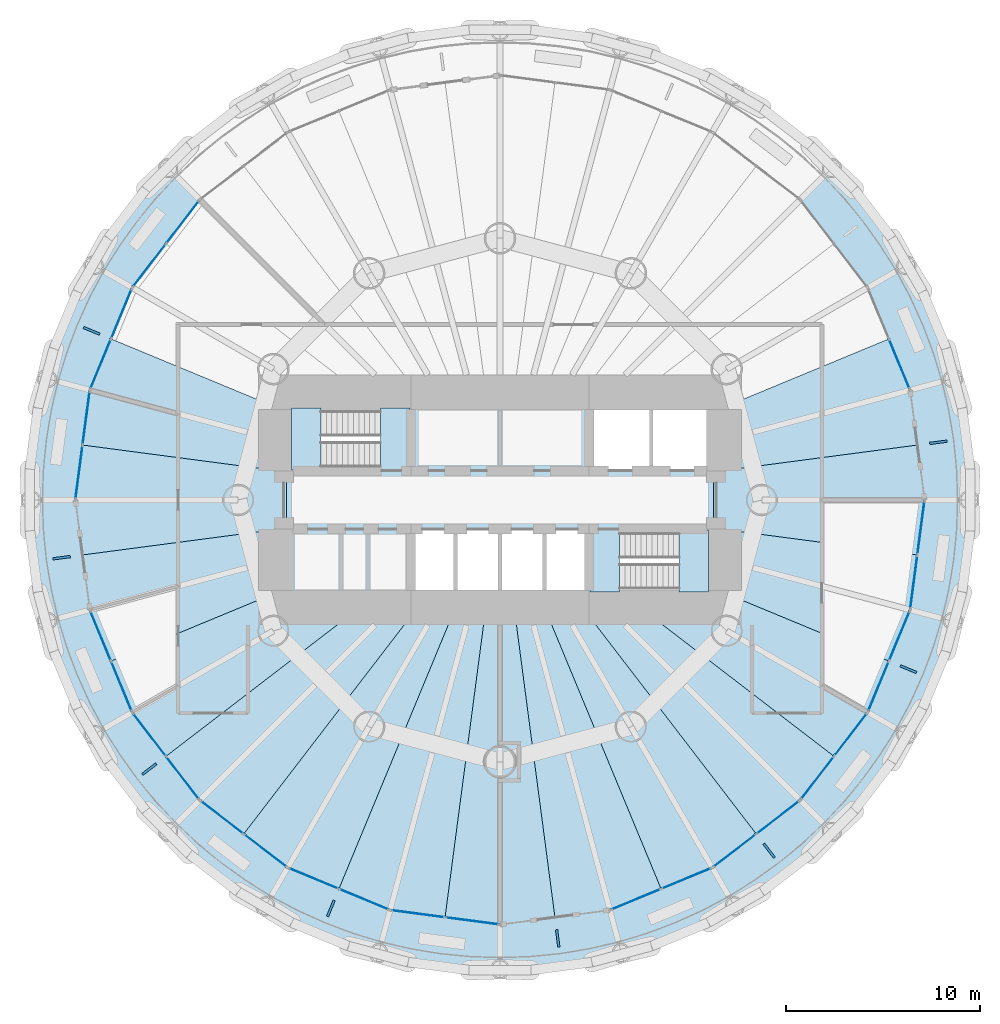
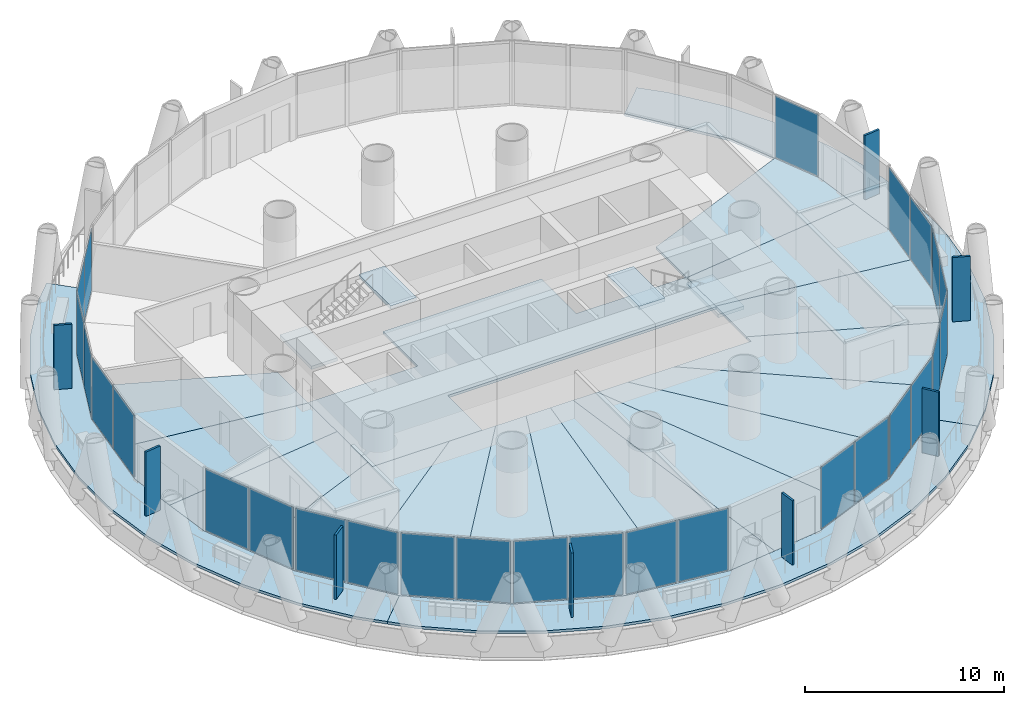
# One storey, part 8 of 15: 35 plates, 23 slabs, 16 elements without a shape of their own.
"""IFC4 building model written with IfcOpenShell, lengths in metres."""

from ifc_helpers import new_model, si_unit, direction, frame, origin, origin_2d, place, context, subcontext, project, spatial, polyline, rectangle, outline, extrude, material, layer, layer_set, type_object, element, aggregate, save


model = new_model("IFC4")

# Units and contexts
model_context = context("Model", 3, precision=1e-05, world=origin(), true_north=direction((0.0, 1.0)))
body_context = subcontext(model_context, "Body", "Model", "MODEL_VIEW")
ifc_project = project(units=[si_unit("LENGTHUNIT", "METRE"), si_unit("AREAUNIT", "SQUARE_METRE"), si_unit("VOLUMEUNIT", "CUBIC_METRE"), si_unit("PLANEANGLEUNIT", "RADIAN"), si_unit("MASSUNIT", "GRAM", prefix="KILO")], contexts=[model_context])

# Site, building, storey
site_placement = place(None, origin())
site = spatial("IfcSite", under=ifc_project, at=site_placement, CompositionType="ELEMENT")
building_placement = place(site_placement, origin())
building = spatial("IfcBuilding", under=site, at=building_placement, Name="Qaws Media Tower", CompositionType="ELEMENT")
storey_placement = place(building_placement, frame((0.0, 0.0, 189.800048828125)))
storey = spatial("IfcBuildingStorey", under=building, at=storey_placement, Name="L43", CompositionType="ELEMENT", Elevation=189.800048828125)

# Slabs
ifc_material_1 = material(Name="Concrete C35/45", Category="concrete")
ifc_layer_1 = layer(ifc_material_1, 0.159912109375)
ifc_layer_set_1 = layer_set([ifc_layer_1], Name="Composite balcony slab 160")
slab_type_1 = type_object("IfcSlabType", Name="Composite balcony slab 160", PredefinedType="FLOOR", material=ifc_layer_set_1)
slab_1_placement = place(storey_placement, frame((0.0, 0.0, -0.16015625)))
element("IfcSlab", 1, at=slab_1_placement, inside=storey, type_object=slab_type_1, Name="S2 balcony slab L43 R10 to R16, movement joints on R10 and R16", PredefinedType="FLOOR", context=body_context, shape_type="SweptSolid", body=[
    extrude(outline(polyline([(41.730224609375, 33.977783203125), (39.79541015625, 36.49951171875), (38.2060546875, 39.25244140625), (36.989501953125, 42.18896484375), (36.1669921875, 45.25927734375), (35.751953125, 48.41064453125), (35.751953125, 51.58935546875), (36.1669921875, 54.74072265625), (36.989501953125, 57.81103515625), (38.2060546875, 60.74755859375), (39.79541015625, 63.50048828125), (41.730224609375, 66.022216796875), (42.85400390625, 67.14599609375), (44.514404296875, 65.485595703125), (41.033935546875, 60.949951171875), (38.84619140625, 55.668212890625), (38.10009765625, 50.0), (38.84619140625, 44.331787109375), (41.033935546875, 39.050048828125), (44.514404296875, 34.514404296875), (42.85400390625, 32.85400390625), (41.730224609375, 33.977783203125)])), origin(), (0.0, 0.0, 1.0), 0.16015625),
])
slab_2_placement = place(storey_placement, frame((0.0, 0.0, -0.16015625)))
element("IfcSlab", 2, at=slab_2_placement, inside=storey, type_object=slab_type_1, Name="S2 balcony slab L43 R16 to R22, movement joints on R16 and R22", PredefinedType="FLOOR", context=body_context, shape_type="SweptSolid", body=[
    extrude(outline(polyline([(76.022216796875, 31.730224609375), (73.50048828125, 29.79541015625), (70.74755859375, 28.2060546875), (67.81103515625, 26.989501953125), (64.74072265625, 26.1669921875), (61.58935546875, 25.751953125), (58.41064453125, 25.751953125), (55.25927734375, 26.1669921875), (52.18896484375, 26.989501953125), (49.25244140625, 28.2060546875), (46.49951171875, 29.79541015625), (43.977783203125, 31.730224609375), (42.85400390625, 32.85400390625), (44.514404296875, 34.514404296875), (49.050048828125, 31.033935546875), (54.331787109375, 28.84619140625), (60.0, 28.10009765625), (65.668212890625, 28.84619140625), (70.949951171875, 31.033935546875), (75.485595703125, 34.514404296875), (77.14599609375, 32.85400390625), (76.022216796875, 31.730224609375)])), origin(), (0.0, 0.0, 1.0), 0.16015625),
])
slab_3_placement = place(storey_placement, frame((0.0, 0.0, -0.16015625)))
element("IfcSlab", 3, at=slab_3_placement, inside=storey, type_object=slab_type_1, Name="S2 balcony slab L43 R22 to R04, movement joints on R22 and R04", PredefinedType="FLOOR", context=body_context, shape_type="SweptSolid", body=[
    extrude(outline(polyline([(83.8330078125, 45.25927734375), (83.010498046875, 42.18896484375), (81.7939453125, 39.25244140625), (80.20458984375, 36.49951171875), (78.269775390625, 33.977783203125), (77.14599609375, 32.85400390625), (75.485595703125, 34.514404296875), (78.966064453125, 39.050048828125), (81.15380859375, 44.331787109375), (81.89990234375, 50.0), (81.15380859375, 55.668212890625), (78.966064453125, 60.949951171875), (75.485595703125, 65.485595703125), (77.14599609375, 67.14599609375), (78.269775390625, 66.022216796875), (80.20458984375, 63.50048828125), (81.7939453125, 60.74755859375), (83.010498046875, 57.81103515625), (83.8330078125, 54.74072265625), (84.248046875, 51.58935546875), (84.248046875, 48.41064453125), (83.8330078125, 45.25927734375)])), origin(), (0.0, 0.0, 1.0), 0.16015625),
])
ifc_material_2 = material(Name="Concrete C35/45", Category="concrete")
ifc_layer_2 = layer(ifc_material_2, 0.159912109375)
ifc_layer_set_2 = layer_set([ifc_layer_2], Name="Composite floor slab 160")
slab_type_2 = type_object("IfcSlabType", Name="Composite floor slab 160", PredefinedType="FLOOR", material=ifc_layer_set_2)
slab_4_placement = place(storey_placement, frame((0.0, 0.0, -0.16015625)))
element("IfcSlab", 4, at=slab_4_placement, inside=storey, type_object=slab_type_2, Name="S1 core floor slab L43", PredefinedType="FLOOR", context=body_context, shape_type="SweptSolid", body=[
    extrude(outline(polyline([(71.0, 51.5), (71.0, 48.5), (55.39990234375, 48.5), (55.39990234375, 45.0), (49.0, 45.0), (49.0, 51.5), (55.39990234375, 51.5), (55.39990234375, 55.0), (64.60009765625, 55.0), (64.60009765625, 51.5), (71.0, 51.5)])), origin(), (0.0, 0.0, 1.0), 0.16015625),
])
slab_5_placement = place(storey_placement, frame((0.0, 0.0, -0.16015625)))
element("IfcSlab", 5, at=slab_5_placement, inside=storey, type_object=slab_type_2, Name="S1 floor panel L43 on R01", PredefinedType="FLOOR", context=body_context, shape_type="SweptSolid", body=[
    extrude(outline(polyline([(81.89990234375, 50.0), (81.52685546875, 47.166015625), (71.0, 48.5517578125), (71.0, 51.4482421875), (81.52685546875, 52.833984375), (81.89990234375, 50.0)])), origin(), (0.0, 0.0, 1.0), 0.16015625),
])
slab_6_placement = place(storey_placement, frame((0.0, 0.0, -0.16015625)))
element("IfcSlab", 6, at=slab_6_placement, inside=storey, type_object=slab_type_2, Name="S1 floor panel L43 on R02", PredefinedType="FLOOR", context=body_context, shape_type="SweptSolid", body=[
    extrude(outline(polyline([(81.15380859375, 55.668212890625), (81.52685546875, 52.833984375), (71.0, 51.4482421875), (71.0, 54.556396484375), (80.059814453125, 58.30908203125), (81.15380859375, 55.668212890625)])), origin(), (0.0, 0.0, 1.0), 0.16015625),
])
slab_7_placement = place(storey_placement, frame((0.0, 0.0, -0.16015625)))
element("IfcSlab", 7, at=slab_7_placement, inside=storey, type_object=slab_type_2, Name="S1 floor panel L43 on R12", PredefinedType="FLOOR", context=body_context, shape_type="SweptSolid", body=[
    extrude(outline(polyline([(38.84619140625, 55.668212890625), (39.940185546875, 58.30908203125), (49.0, 54.556396484375), (49.0, 51.4482421875), (38.47314453125, 52.833984375), (38.84619140625, 55.668212890625)])), origin(), (0.0, 0.0, 1.0), 0.16015625),
])
slab_8_placement = place(storey_placement, frame((0.0, 0.0, -0.16015625)))
element("IfcSlab", 8, at=slab_8_placement, inside=storey, type_object=slab_type_2, Name="S1 floor panel L43 on R13", PredefinedType="FLOOR", context=body_context, shape_type="SweptSolid", body=[
    extrude(outline(polyline([(38.10009765625, 50.0), (38.47314453125, 52.833984375), (49.0, 51.4482421875), (49.0, 48.5517578125), (38.47314453125, 47.166015625), (38.10009765625, 50.0)])), origin(), (0.0, 0.0, 1.0), 0.16015625),
])
slab_9_placement = place(storey_placement, frame((0.0, 0.0, -0.16015625)))
element("IfcSlab", 9, at=slab_9_placement, inside=storey, type_object=slab_type_2, Name="S1 floor panel L43 on R14", PredefinedType="FLOOR", context=body_context, shape_type="SweptSolid", body=[
    extrude(outline(polyline([(38.84619140625, 44.331787109375), (38.47314453125, 47.166015625), (49.0, 48.5517578125), (49.0, 45.443603515625), (39.940185546875, 41.69091796875), (38.84619140625, 44.331787109375)])), origin(), (0.0, 0.0, 1.0), 0.16015625),
])
slab_10_placement = place(storey_placement, frame((0.0, 0.0, -0.16015625)))
element("IfcSlab", 10, at=slab_10_placement, inside=storey, type_object=slab_type_2, Name="S1 floor panel L43 on R15", PredefinedType="FLOOR", context=body_context, shape_type="SweptSolid", body=[
    extrude(outline(polyline([(41.033935546875, 39.050048828125), (39.940185546875, 41.69091796875), (49.0, 45.443603515625), (49.0, 45.0), (53.48388671875, 45.0), (42.774169921875, 36.7822265625), (41.033935546875, 39.050048828125)])), origin(), (0.0, 0.0, 1.0), 0.16015625),
])
slab_11_placement = place(storey_placement, frame((0.0, 0.0, -0.16015625)))
element("IfcSlab", 11, at=slab_11_placement, inside=storey, type_object=slab_type_2, Name="S1 floor panel L43 on R16", PredefinedType="FLOOR", context=body_context, shape_type="SweptSolid", body=[
    extrude(outline(polyline([(44.514404296875, 34.514404296875), (42.774169921875, 36.7822265625), (53.48388671875, 45.0), (56.163330078125, 45.0), (46.7822265625, 32.774169921875), (44.514404296875, 34.514404296875)])), origin(), (0.0, 0.0, 1.0), 0.16015625),
])
slab_12_placement = place(storey_placement, frame((0.0, 0.0, -0.16015625)))
element("IfcSlab", 12, at=slab_12_placement, inside=storey, type_object=slab_type_2, Name="S1 floor panel L43 on R17", PredefinedType="FLOOR", context=body_context, shape_type="SweptSolid", body=[
    extrude(outline(polyline([(49.050048828125, 31.033935546875), (46.7822265625, 32.774169921875), (56.163330078125, 45.0), (57.928955078125, 45.0), (51.69091796875, 29.940185546875), (49.050048828125, 31.033935546875)])), origin(), (0.0, 0.0, 1.0), 0.16015625),
])
slab_13_placement = place(storey_placement, frame((0.0, 0.0, -0.16015625)))
element("IfcSlab", 13, at=slab_13_placement, inside=storey, type_object=slab_type_2, Name="S1 floor panel L43 on R18", PredefinedType="FLOOR", context=body_context, shape_type="SweptSolid", body=[
    extrude(outline(polyline([(54.331787109375, 28.84619140625), (51.69091796875, 29.940185546875), (57.928955078125, 45.0), (59.341796875, 45.0), (57.166015625, 28.47314453125), (54.331787109375, 28.84619140625)])), origin(), (0.0, 0.0, 1.0), 0.16015625),
])
slab_14_placement = place(storey_placement, frame((0.0, 0.0, -0.16015625)))
element("IfcSlab", 14, at=slab_14_placement, inside=storey, type_object=slab_type_2, Name="S1 floor panel L43 on R19", PredefinedType="FLOOR", context=body_context, shape_type="SweptSolid", body=[
    extrude(outline(polyline([(60.0, 28.10009765625), (57.166015625, 28.47314453125), (59.341796875, 45.0), (60.658203125, 45.0), (62.833984375, 28.47314453125), (60.0, 28.10009765625)])), origin(), (0.0, 0.0, 1.0), 0.16015625),
])
slab_15_placement = place(storey_placement, frame((0.0, 0.0, -0.16015625)))
element("IfcSlab", 15, at=slab_15_placement, inside=storey, type_object=slab_type_2, Name="S1 floor panel L43 on R20", PredefinedType="FLOOR", context=body_context, shape_type="SweptSolid", body=[
    extrude(outline(polyline([(65.668212890625, 28.84619140625), (62.833984375, 28.47314453125), (60.658203125, 45.0), (62.071044921875, 45.0), (68.30908203125, 29.940185546875), (65.668212890625, 28.84619140625)])), origin(), (0.0, 0.0, 1.0), 0.16015625),
])
slab_16_placement = place(storey_placement, frame((0.0, 0.0, -0.16015625)))
element("IfcSlab", 16, at=slab_16_placement, inside=storey, type_object=slab_type_2, Name="S1 floor panel L43 on R21", PredefinedType="FLOOR", context=body_context, shape_type="SweptSolid", body=[
    extrude(outline(polyline([(70.949951171875, 31.033935546875), (68.30908203125, 29.940185546875), (62.071044921875, 45.0), (63.836669921875, 45.0), (73.2177734375, 32.774169921875), (70.949951171875, 31.033935546875)])), origin(), (0.0, 0.0, 1.0), 0.16015625),
])
slab_17_placement = place(storey_placement, frame((0.0, 0.0, -0.16015625)))
element("IfcSlab", 17, at=slab_17_placement, inside=storey, type_object=slab_type_2, Name="S1 floor panel L43 on R22", PredefinedType="FLOOR", context=body_context, shape_type="SweptSolid", body=[
    extrude(outline(polyline([(75.485595703125, 34.514404296875), (73.2177734375, 32.774169921875), (63.836669921875, 45.0), (66.51611328125, 45.0), (77.225830078125, 36.7822265625), (75.485595703125, 34.514404296875)])), origin(), (0.0, 0.0, 1.0), 0.16015625),
])
slab_18_placement = place(storey_placement, frame((0.0, 0.0, -0.16015625)))
element("IfcSlab", 18, at=slab_18_placement, inside=storey, type_object=slab_type_2, Name="S1 floor panel L43 on R23", PredefinedType="FLOOR", context=body_context, shape_type="SweptSolid", body=[
    extrude(outline(polyline([(78.966064453125, 39.050048828125), (77.225830078125, 36.7822265625), (66.51611328125, 45.0), (71.0, 45.0), (71.0, 45.443603515625), (80.059814453125, 41.69091796875), (78.966064453125, 39.050048828125)])), origin(), (0.0, 0.0, 1.0), 0.16015625),
])
slab_19_placement = place(storey_placement, frame((0.0, 0.0, -0.16015625)))
element("IfcSlab", 19, at=slab_19_placement, inside=storey, type_object=slab_type_2, Name="S1 floor panel L43 on R24", PredefinedType="FLOOR", context=body_context, shape_type="SweptSolid", body=[
    extrude(outline(polyline([(80.059814453125, 41.69091796875), (71.0, 45.443603515625), (71.0, 48.5517578125), (81.52685546875, 47.166015625), (81.15380859375, 44.331787109375), (80.059814453125, 41.69091796875)])), origin(), (0.0, 0.0, 1.0), 0.16015625),
])

# Curtain wall, plate
ifc_material_3 = material(Name="Aluminium and clear glass", Category="aluminium")
curtain_wall_type = type_object("IfcCurtainWallType", Name="Unitised curtain wall CW-B", PredefinedType="NOTDEFINED", material=ifc_material_3)
curtain_wall_1_placement = place(storey_placement, origin())
curtain_wall_1 = element("IfcCurtainWall", 20, at=curtain_wall_1_placement, inside=storey, type_object=curtain_wall_type, Name="CWB curtain wall L43-02", PredefinedType="NOTDEFINED")
ifc_material_4 = material(Name="Clear laminated double glazing", Category="glass")
ifc_layer_3 = layer(ifc_material_4, 0.031982421875)
ifc_layer_set_3 = layer_set([ifc_layer_3], Name="Curtain wall glass unit 32")
plate_type_1 = type_object("IfcPlateType", Name="Curtain wall glass unit 32", PredefinedType="CURTAIN_PANEL", material=ifc_layer_set_3)
plate_1_placement = place(storey_placement, frame((80.59912109375, 57.007080078125, 0.079833984375), z_axis=(0.0, 0.0, 1.0), x_axis=(-0.382683538482, 0.923879488556, 0.0)))
plate_1 = element("IfcPlate", 21, at=plate_1_placement, type_object=plate_type_1, Name="CWB panel 1.1", PredefinedType="CURTAIN_PANEL", context=body_context, shape_type="SweptSolid", body=[
    extrude(rectangle(XDim=2.738525390625, YDim=0.031982421875, at=origin_2d()), origin(), (0.0, 0.0, 1.0), 3.7900390625),
])
aggregate(curtain_wall_1, [plate_1])

# Curtain wall, plates
curtain_wall_2_placement = place(storey_placement, origin())
curtain_wall_2 = element("IfcCurtainWall", 22, at=curtain_wall_2_placement, inside=storey, type_object=curtain_wall_type, Name="CWB curtain wall L43-10", PredefinedType="NOTDEFINED")
plate_2_placement = place(storey_placement, frame((43.632080078125, 64.3359375, 0.079833984375), z_axis=(0.0, 0.0, 1.0), x_axis=(-0.608761295527, -0.793353442715, 0.0)))
plate_2 = element("IfcPlate", 23, at=plate_2_placement, type_object=plate_type_1, Name="CWB panel 1.1", PredefinedType="CURTAIN_PANEL", context=body_context, shape_type="SweptSolid", body=[
    extrude(rectangle(XDim=2.738525390625, YDim=0.031982421875, at=origin_2d()), origin(), (0.0, 0.0, 1.0), 3.7900390625),
])
plate_3_placement = place(storey_placement, frame((41.916259765625, 62.099853515625, 0.079833984375), z_axis=(0.0, 0.0, 1.0), x_axis=(-0.608761295527, -0.793353442715, 0.0)))
plate_3 = element("IfcPlate", 24, at=plate_3_placement, type_object=plate_type_1, Name="CWB panel 2.1", PredefinedType="CURTAIN_PANEL", context=body_context, shape_type="SweptSolid", body=[
    extrude(rectangle(XDim=2.738525390625, YDim=0.031982421875, at=origin_2d()), origin(), (0.0, 0.0, 1.0), 3.7900390625),
])
aggregate(curtain_wall_2, [plate_2, plate_3])

curtain_wall_3_placement = place(storey_placement, origin())
curtain_wall_3 = element("IfcCurtainWall", 25, at=curtain_wall_3_placement, inside=storey, type_object=curtain_wall_type, Name="CWB curtain wall L43-11", PredefinedType="NOTDEFINED")
plate_4_placement = place(storey_placement, frame((40.4794921875, 59.611083984375, 0.079833984375), z_axis=(0.0, 0.0, 1.0), x_axis=(-0.382683538482, -0.923879488556, 0.0)))
plate_4 = element("IfcPlate", 26, at=plate_4_placement, type_object=plate_type_1, Name="CWB panel 1.1", PredefinedType="CURTAIN_PANEL", context=body_context, shape_type="SweptSolid", body=[
    extrude(rectangle(XDim=2.738525390625, YDim=0.031982421875, at=origin_2d()), origin(), (0.0, 0.0, 1.0), 3.7900390625),
])
plate_5_placement = place(storey_placement, frame((39.40087890625, 57.007080078125, 0.079833984375), z_axis=(0.0, 0.0, 1.0), x_axis=(-0.382683538482, -0.923879488556, 0.0)))
plate_5 = element("IfcPlate", 27, at=plate_5_placement, type_object=plate_type_1, Name="CWB panel 2.1", PredefinedType="CURTAIN_PANEL", context=body_context, shape_type="SweptSolid", body=[
    extrude(rectangle(XDim=2.738525390625, YDim=0.031982421875, at=origin_2d()), origin(), (0.0, 0.0, 1.0), 3.7900390625),
])
aggregate(curtain_wall_3, [plate_4, plate_5])

curtain_wall_4_placement = place(storey_placement, origin())
curtain_wall_4 = element("IfcCurtainWall", 28, at=curtain_wall_4_placement, inside=storey, type_object=curtain_wall_type, Name="CWB curtain wall L43-12", PredefinedType="NOTDEFINED")
plate_6_placement = place(storey_placement, frame((38.656982421875, 54.231201171875, 0.079833984375), z_axis=(0.0, 0.0, 1.0), x_axis=(-0.1305261247, -0.991444870263, 0.0)))
plate_6 = element("IfcPlate", 29, at=plate_6_placement, type_object=plate_type_1, Name="CWB panel 1.1", PredefinedType="CURTAIN_PANEL", context=body_context, shape_type="SweptSolid", body=[
    extrude(rectangle(XDim=2.738525390625, YDim=0.031982421875, at=origin_2d()), origin(), (0.0, 0.0, 1.0), 3.7900390625),
])
plate_7_placement = place(storey_placement, frame((38.2890625, 51.436767578125, 0.079833984375), z_axis=(0.0, 0.0, 1.0), x_axis=(-0.1305261247, -0.991444870263, 0.0)))
plate_7 = element("IfcPlate", 30, at=plate_7_placement, type_object=plate_type_1, Name="CWB panel 2.1", PredefinedType="CURTAIN_PANEL", context=body_context, shape_type="SweptSolid", body=[
    extrude(rectangle(XDim=2.738525390625, YDim=0.031982421875, at=origin_2d()), origin(), (0.0, 0.0, 1.0), 3.7900390625),
])
aggregate(curtain_wall_4, [plate_6, plate_7])

curtain_wall_5_placement = place(storey_placement, origin())
curtain_wall_5 = element("IfcCurtainWall", 31, at=curtain_wall_5_placement, inside=storey, type_object=curtain_wall_type, Name="CWB curtain wall L43-14", PredefinedType="NOTDEFINED")
plate_8_placement = place(storey_placement, frame((39.40087890625, 42.992919921875, 0.079833984375), z_axis=(0.0, 0.0, 1.0), x_axis=(0.382683538482, -0.923879488556, 0.0)))
plate_8 = element("IfcPlate", 32, at=plate_8_placement, type_object=plate_type_1, Name="CWB panel 1.1", PredefinedType="CURTAIN_PANEL", context=body_context, shape_type="SweptSolid", body=[
    extrude(rectangle(XDim=2.738525390625, YDim=0.031982421875, at=origin_2d()), origin(), (0.0, 0.0, 1.0), 3.7900390625),
])
plate_9_placement = place(storey_placement, frame((40.4794921875, 40.388916015625, 0.079833984375), z_axis=(0.0, 0.0, 1.0), x_axis=(0.382683538482, -0.923879488556, 0.0)))
plate_9 = element("IfcPlate", 33, at=plate_9_placement, type_object=plate_type_1, Name="CWB panel 2.1", PredefinedType="CURTAIN_PANEL", context=body_context, shape_type="SweptSolid", body=[
    extrude(rectangle(XDim=2.738525390625, YDim=0.031982421875, at=origin_2d()), origin(), (0.0, 0.0, 1.0), 3.7900390625),
])
aggregate(curtain_wall_5, [plate_8, plate_9])

curtain_wall_6_placement = place(storey_placement, origin())
curtain_wall_6 = element("IfcCurtainWall", 34, at=curtain_wall_6_placement, inside=storey, type_object=curtain_wall_type, Name="CWB curtain wall L43-15", PredefinedType="NOTDEFINED")
plate_10_placement = place(storey_placement, frame((41.916259765625, 37.900146484375, 0.079833984375), z_axis=(0.0, 0.0, 1.0), x_axis=(0.608761295527, -0.793353442715, 0.0)))
plate_10 = element("IfcPlate", 35, at=plate_10_placement, type_object=plate_type_1, Name="CWB panel 1.1", PredefinedType="CURTAIN_PANEL", context=body_context, shape_type="SweptSolid", body=[
    extrude(rectangle(XDim=2.738525390625, YDim=0.031982421875, at=origin_2d()), origin(), (0.0, 0.0, 1.0), 3.7900390625),
])
plate_11_placement = place(storey_placement, frame((43.632080078125, 35.6640625, 0.079833984375), z_axis=(0.0, 0.0, 1.0), x_axis=(0.608761295527, -0.793353442715, 0.0)))
plate_11 = element("IfcPlate", 36, at=plate_11_placement, type_object=plate_type_1, Name="CWB panel 2.1", PredefinedType="CURTAIN_PANEL", context=body_context, shape_type="SweptSolid", body=[
    extrude(rectangle(XDim=2.738525390625, YDim=0.031982421875, at=origin_2d()), origin(), (0.0, 0.0, 1.0), 3.7900390625),
])
aggregate(curtain_wall_6, [plate_10, plate_11])

curtain_wall_7_placement = place(storey_placement, origin())
curtain_wall_7 = element("IfcCurtainWall", 37, at=curtain_wall_7_placement, inside=storey, type_object=curtain_wall_type, Name="CWB curtain wall L43-16", PredefinedType="NOTDEFINED")
plate_12_placement = place(storey_placement, frame((45.6640625, 33.632080078125, 0.079833984375), z_axis=(0.0, 0.0, 1.0), x_axis=(0.793353442715, -0.608761295527, 0.0)))
plate_12 = element("IfcPlate", 38, at=plate_12_placement, type_object=plate_type_1, Name="CWB panel 1.1", PredefinedType="CURTAIN_PANEL", context=body_context, shape_type="SweptSolid", body=[
    extrude(rectangle(XDim=2.738525390625, YDim=0.031982421875, at=origin_2d()), origin(), (0.0, 0.0, 1.0), 3.7900390625),
])
plate_13_placement = place(storey_placement, frame((47.900146484375, 31.916259765625, 0.079833984375), z_axis=(0.0, 0.0, 1.0), x_axis=(0.793353442715, -0.608761295527, 0.0)))
plate_13 = element("IfcPlate", 39, at=plate_13_placement, type_object=plate_type_1, Name="CWB panel 2.1", PredefinedType="CURTAIN_PANEL", context=body_context, shape_type="SweptSolid", body=[
    extrude(rectangle(XDim=2.738525390625, YDim=0.031982421875, at=origin_2d()), origin(), (0.0, 0.0, 1.0), 3.7900390625),
])
aggregate(curtain_wall_7, [plate_12, plate_13])

curtain_wall_8_placement = place(storey_placement, origin())
curtain_wall_8 = element("IfcCurtainWall", 40, at=curtain_wall_8_placement, inside=storey, type_object=curtain_wall_type, Name="CWB curtain wall L43-17", PredefinedType="NOTDEFINED")
plate_14_placement = place(storey_placement, frame((50.388916015625, 30.4794921875, 0.079833984375), z_axis=(0.0, 0.0, 1.0), x_axis=(0.923879488556, -0.382683538482, 0.0)))
plate_14 = element("IfcPlate", 41, at=plate_14_placement, type_object=plate_type_1, Name="CWB panel 1.1", PredefinedType="CURTAIN_PANEL", context=body_context, shape_type="SweptSolid", body=[
    extrude(rectangle(XDim=2.738525390625, YDim=0.031982421875, at=origin_2d()), origin(), (0.0, 0.0, 1.0), 3.7900390625),
])
plate_15_placement = place(storey_placement, frame((52.992919921875, 29.40087890625, 0.079833984375), z_axis=(0.0, 0.0, 1.0), x_axis=(0.923879488556, -0.382683538482, 0.0)))
plate_15 = element("IfcPlate", 42, at=plate_15_placement, type_object=plate_type_1, Name="CWB panel 2.1", PredefinedType="CURTAIN_PANEL", context=body_context, shape_type="SweptSolid", body=[
    extrude(rectangle(XDim=2.738525390625, YDim=0.031982421875, at=origin_2d()), origin(), (0.0, 0.0, 1.0), 3.7900390625),
])
aggregate(curtain_wall_8, [plate_14, plate_15])

curtain_wall_9_placement = place(storey_placement, origin())
curtain_wall_9 = element("IfcCurtainWall", 43, at=curtain_wall_9_placement, inside=storey, type_object=curtain_wall_type, Name="CWB curtain wall L43-18", PredefinedType="NOTDEFINED")
plate_16_placement = place(storey_placement, frame((55.768798828125, 28.656982421875, 0.079833984375), z_axis=(0.0, 0.0, 1.0), x_axis=(0.991444870263, -0.1305261247, 0.0)))
plate_16 = element("IfcPlate", 44, at=plate_16_placement, type_object=plate_type_1, Name="CWB panel 1.1", PredefinedType="CURTAIN_PANEL", context=body_context, shape_type="SweptSolid", body=[
    extrude(rectangle(XDim=2.738525390625, YDim=0.031982421875, at=origin_2d()), origin(), (0.0, 0.0, 1.0), 3.7900390625),
])
plate_17_placement = place(storey_placement, frame((58.563232421875, 28.2890625, 0.079833984375), z_axis=(0.0, 0.0, 1.0), x_axis=(0.991444870263, -0.1305261247, 0.0)))
plate_17 = element("IfcPlate", 45, at=plate_17_placement, type_object=plate_type_1, Name="CWB panel 2.1", PredefinedType="CURTAIN_PANEL", context=body_context, shape_type="SweptSolid", body=[
    extrude(rectangle(XDim=2.738525390625, YDim=0.031982421875, at=origin_2d()), origin(), (0.0, 0.0, 1.0), 3.7900390625),
])
aggregate(curtain_wall_9, [plate_16, plate_17])

curtain_wall_10_placement = place(storey_placement, origin())
curtain_wall_10 = element("IfcCurtainWall", 46, at=curtain_wall_10_placement, inside=storey, type_object=curtain_wall_type, Name="CWB curtain wall L43-20", PredefinedType="NOTDEFINED")
plate_18_placement = place(storey_placement, frame((67.007080078125, 29.40087890625, 0.079833984375), z_axis=(0.0, 0.0, 1.0), x_axis=(0.923879488556, 0.382683538482, 0.0)))
plate_18 = element("IfcPlate", 47, at=plate_18_placement, type_object=plate_type_1, Name="CWB panel 1.1", PredefinedType="CURTAIN_PANEL", context=body_context, shape_type="SweptSolid", body=[
    extrude(rectangle(XDim=2.738525390625, YDim=0.031982421875, at=origin_2d()), origin(), (0.0, 0.0, 1.0), 3.7900390625),
])
plate_19_placement = place(storey_placement, frame((69.611083984375, 30.4794921875, 0.079833984375), z_axis=(0.0, 0.0, 1.0), x_axis=(0.923879488556, 0.382683538482, 0.0)))
plate_19 = element("IfcPlate", 48, at=plate_19_placement, type_object=plate_type_1, Name="CWB panel 2.1", PredefinedType="CURTAIN_PANEL", context=body_context, shape_type="SweptSolid", body=[
    extrude(rectangle(XDim=2.738525390625, YDim=0.031982421875, at=origin_2d()), origin(), (0.0, 0.0, 1.0), 3.7900390625),
])
aggregate(curtain_wall_10, [plate_18, plate_19])

curtain_wall_11_placement = place(storey_placement, origin())
curtain_wall_11 = element("IfcCurtainWall", 49, at=curtain_wall_11_placement, inside=storey, type_object=curtain_wall_type, Name="CWB curtain wall L43-21", PredefinedType="NOTDEFINED")
plate_20_placement = place(storey_placement, frame((72.099853515625, 31.916259765625, 0.079833984375), z_axis=(0.0, 0.0, 1.0), x_axis=(0.793353442715, 0.608761295527, 0.0)))
plate_20 = element("IfcPlate", 50, at=plate_20_placement, type_object=plate_type_1, Name="CWB panel 1.1", PredefinedType="CURTAIN_PANEL", context=body_context, shape_type="SweptSolid", body=[
    extrude(rectangle(XDim=2.738525390625, YDim=0.031982421875, at=origin_2d()), origin(), (0.0, 0.0, 1.0), 3.7900390625),
])
plate_21_placement = place(storey_placement, frame((74.3359375, 33.632080078125, 0.079833984375), z_axis=(0.0, 0.0, 1.0), x_axis=(0.793353442715, 0.608761295527, 0.0)))
plate_21 = element("IfcPlate", 51, at=plate_21_placement, type_object=plate_type_1, Name="CWB panel 2.1", PredefinedType="CURTAIN_PANEL", context=body_context, shape_type="SweptSolid", body=[
    extrude(rectangle(XDim=2.738525390625, YDim=0.031982421875, at=origin_2d()), origin(), (0.0, 0.0, 1.0), 3.7900390625),
])
aggregate(curtain_wall_11, [plate_20, plate_21])

curtain_wall_12_placement = place(storey_placement, origin())
curtain_wall_12 = element("IfcCurtainWall", 52, at=curtain_wall_12_placement, inside=storey, type_object=curtain_wall_type, Name="CWB curtain wall L43-22", PredefinedType="NOTDEFINED")
plate_22_placement = place(storey_placement, frame((76.367919921875, 35.6640625, 0.079833984375), z_axis=(0.0, 0.0, 1.0), x_axis=(0.608761295527, 0.793353442715, 0.0)))
plate_22 = element("IfcPlate", 53, at=plate_22_placement, type_object=plate_type_1, Name="CWB panel 1.1", PredefinedType="CURTAIN_PANEL", context=body_context, shape_type="SweptSolid", body=[
    extrude(rectangle(XDim=2.738525390625, YDim=0.031982421875, at=origin_2d()), origin(), (0.0, 0.0, 1.0), 3.7900390625),
])
plate_23_placement = place(storey_placement, frame((78.083740234375, 37.900146484375, 0.079833984375), z_axis=(0.0, 0.0, 1.0), x_axis=(0.608761295527, 0.793353442715, 0.0)))
plate_23 = element("IfcPlate", 54, at=plate_23_placement, type_object=plate_type_1, Name="CWB panel 2.1", PredefinedType="CURTAIN_PANEL", context=body_context, shape_type="SweptSolid", body=[
    extrude(rectangle(XDim=2.738525390625, YDim=0.031982421875, at=origin_2d()), origin(), (0.0, 0.0, 1.0), 3.7900390625),
])
aggregate(curtain_wall_12, [plate_22, plate_23])

curtain_wall_13_placement = place(storey_placement, origin())
curtain_wall_13 = element("IfcCurtainWall", 55, at=curtain_wall_13_placement, inside=storey, type_object=curtain_wall_type, Name="CWB curtain wall L43-23", PredefinedType="NOTDEFINED")
plate_24_placement = place(storey_placement, frame((79.5205078125, 40.388916015625, 0.079833984375), z_axis=(0.0, 0.0, 1.0), x_axis=(0.382683538482, 0.923879488556, 0.0)))
plate_24 = element("IfcPlate", 56, at=plate_24_placement, type_object=plate_type_1, Name="CWB panel 1.1", PredefinedType="CURTAIN_PANEL", context=body_context, shape_type="SweptSolid", body=[
    extrude(rectangle(XDim=2.738525390625, YDim=0.031982421875, at=origin_2d()), origin(), (0.0, 0.0, 1.0), 3.7900390625),
])
plate_25_placement = place(storey_placement, frame((80.59912109375, 42.992919921875, 0.079833984375), z_axis=(0.0, 0.0, 1.0), x_axis=(0.382683538482, 0.923879488556, 0.0)))
plate_25 = element("IfcPlate", 57, at=plate_25_placement, type_object=plate_type_1, Name="CWB panel 2.1", PredefinedType="CURTAIN_PANEL", context=body_context, shape_type="SweptSolid", body=[
    extrude(rectangle(XDim=2.738525390625, YDim=0.031982421875, at=origin_2d()), origin(), (0.0, 0.0, 1.0), 3.7900390625),
])
aggregate(curtain_wall_13, [plate_24, plate_25])

curtain_wall_14_placement = place(storey_placement, origin())
curtain_wall_14 = element("IfcCurtainWall", 58, at=curtain_wall_14_placement, inside=storey, type_object=curtain_wall_type, Name="CWB curtain wall L43-24", PredefinedType="NOTDEFINED")
plate_26_placement = place(storey_placement, frame((81.343017578125, 45.768798828125, 0.079833984375), z_axis=(0.0, 0.0, 1.0), x_axis=(0.1305261247, 0.991444870263, 0.0)))
plate_26 = element("IfcPlate", 59, at=plate_26_placement, type_object=plate_type_1, Name="CWB panel 1.1", PredefinedType="CURTAIN_PANEL", context=body_context, shape_type="SweptSolid", body=[
    extrude(rectangle(XDim=2.738525390625, YDim=0.031982421875, at=origin_2d()), origin(), (0.0, 0.0, 1.0), 3.7900390625),
])
plate_27_placement = place(storey_placement, frame((81.7109375, 48.563232421875, 0.079833984375), z_axis=(0.0, 0.0, 1.0), x_axis=(0.1305261247, 0.991444870263, 0.0)))
plate_27 = element("IfcPlate", 60, at=plate_27_placement, type_object=plate_type_1, Name="CWB panel 2.1", PredefinedType="CURTAIN_PANEL", context=body_context, shape_type="SweptSolid", body=[
    extrude(rectangle(XDim=2.738525390625, YDim=0.031982421875, at=origin_2d()), origin(), (0.0, 0.0, 1.0), 3.7900390625),
])
aggregate(curtain_wall_14, [plate_26, plate_27])

# Plates
ifc_material_5 = material(Name="Precast concrete screen fin", Category="concrete")
ifc_layer_4 = layer(ifc_material_5, 0.1201171875)
ifc_layer_set_4 = layer_set([ifc_layer_4], Name="Screen fin 120x900")
plate_type_2 = type_object("IfcPlateType", Name="Screen fin 120x900", PredefinedType="USERDEFINED", material=ifc_layer_set_4)
for number, where, z_axis, x_axis, name in (
    (61, (82.60498046875, 52.97607421875, 0.0), (0.0, 0.0, 1.0), (0.991444861374, 0.13052619222, 0.0), "SCR1 screen fin L43-01"),
    (62, (38.935546875, 58.72509765625, 0.0), (0.0, 0.0, 1.0), (-0.923879532511, 0.382683432365, 0.0), "SCR1 screen fin L43-06"),
    (63, (37.39501953125, 47.02392578125, 0.0), (0.0, 0.0, 1.0), (-0.991444861374, -0.13052619222, 0.0), "SCR1 screen fin L43-07"),
    (64, (41.91162109375, 36.120361328125, 0.0), (0.0, 0.0, 1.0), (-0.793353340291, -0.608761429009, 0.0), "SCR1 screen fin L43-08"),
    (65, (51.27490234375, 28.935546875, 0.0), (0.0, 0.0, 1.0), (-0.382683432365, -0.923879532511, 0.0), "SCR1 screen fin L43-09"),
    (66, (62.97607421875, 27.39501953125, 0.0), (0.0, 0.0, 1.0), (0.13052619222, -0.991444861374, 0.0), "SCR1 screen fin L43-10"),
    (67, (73.879638671875, 31.91162109375, 0.0), (0.0, 0.0, 1.0), (0.608761429009, -0.793353340291, 0.0), "SCR1 screen fin L43-11"),
    (68, (81.064453125, 41.27490234375, 0.0), (0.0, 0.0, 1.0), (0.923879532511, -0.382683432365, 0.0), "SCR1 screen fin L43-12"),
):
    element("IfcPlate", number, at=place(storey_placement, frame(where, z_axis=z_axis, x_axis=x_axis)), inside=storey, type_object=plate_type_2, Name=name, ObjectType="SCREEN", PredefinedType="USERDEFINED", context=body_context, shape_type="SweptSolid", body=[
        extrude(rectangle(XDim=0.89990234375, YDim=0.1201171875, at=origin_2d()), origin(), (0.0, 0.0, 1.0), 3.949951171875),
    ])

# Stair, slabs
ifc_material_6 = material(Name="Concrete C40/50", Category="concrete")
stair_type = type_object("IfcStairType", Name="Exit stair", PredefinedType="HALF_TURN_STAIR", material=ifc_material_6)
stair_1_placement = place(storey_placement, origin())
stair_1 = element("IfcStair", 69, at=stair_1_placement, inside=storey, type_object=stair_type, Name="S1 exit stair L43", PredefinedType="HALF_TURN_STAIR")
ifc_material_7 = material(Name="Concrete C40/50", Category="concrete")
ifc_layer_5 = layer(ifc_material_7, 0.199951171875)
ifc_layer_set_5 = layer_set([ifc_layer_5], Name="Stair landing 200")
slab_type_3 = type_object("IfcSlabType", Name="Stair landing 200", PredefinedType="LANDING", material=ifc_layer_set_5)
slab_20_placement = place(storey_placement, frame((0.0, 0.0, 1.89990234375)))
slab_20 = element("IfcSlab", 70, at=slab_20_placement, type_object=slab_type_3, Name="S1 landing 1", PredefinedType="LANDING", context=body_context, shape_type="SweptSolid", body=[
    extrude(outline(polyline([(49.25, 51.550048828125), (50.760009765625, 51.550048828125), (50.760009765625, 54.75), (49.25, 54.75), (49.25, 51.550048828125)])), origin(), (0.0, 0.0, 1.0), 0.199951171875),
])
slab_21_placement = place(storey_placement, frame((0.0, 0.0, 4.0)))
slab_21 = element("IfcSlab", 71, at=slab_21_placement, type_object=slab_type_3, Name="S1 landing 2", PredefinedType="LANDING", context=body_context, shape_type="SweptSolid", body=[
    extrude(outline(polyline([(53.840087890625, 51.550048828125), (55.35009765625, 51.550048828125), (55.35009765625, 54.75), (53.840087890625, 54.75), (53.840087890625, 51.550048828125)])), origin(), (0.0, 0.0, 1.0), 0.199951171875),
])
aggregate(stair_1, [slab_20, slab_21])

stair_2_placement = place(storey_placement, origin())
stair_2 = element("IfcStair", 72, at=stair_2_placement, inside=storey, type_object=stair_type, Name="S2 exit stair L43", PredefinedType="HALF_TURN_STAIR")
slab_22_placement = place(storey_placement, frame((0.0, 0.0, 1.89990234375)))
slab_22 = element("IfcSlab", 73, at=slab_22_placement, type_object=slab_type_3, Name="S2 landing 1", PredefinedType="LANDING", context=body_context, shape_type="SweptSolid", body=[
    extrude(outline(polyline([(69.239990234375, 45.25), (70.75, 45.25), (70.75, 48.449951171875), (69.239990234375, 48.449951171875), (69.239990234375, 45.25)])), origin(), (0.0, 0.0, 1.0), 0.199951171875),
])
slab_23_placement = place(storey_placement, frame((0.0, 0.0, 4.0)))
slab_23 = element("IfcSlab", 74, at=slab_23_placement, type_object=slab_type_3, Name="S2 landing 2", PredefinedType="LANDING", context=body_context, shape_type="SweptSolid", body=[
    extrude(outline(polyline([(64.64990234375, 45.25), (66.159912109375, 45.25), (66.159912109375, 48.449951171875), (64.64990234375, 48.449951171875), (64.64990234375, 45.25)])), origin(), (0.0, 0.0, 1.0), 0.199951171875),
])
aggregate(stair_2, [slab_22, slab_23])

save(model, "model.ifc")
